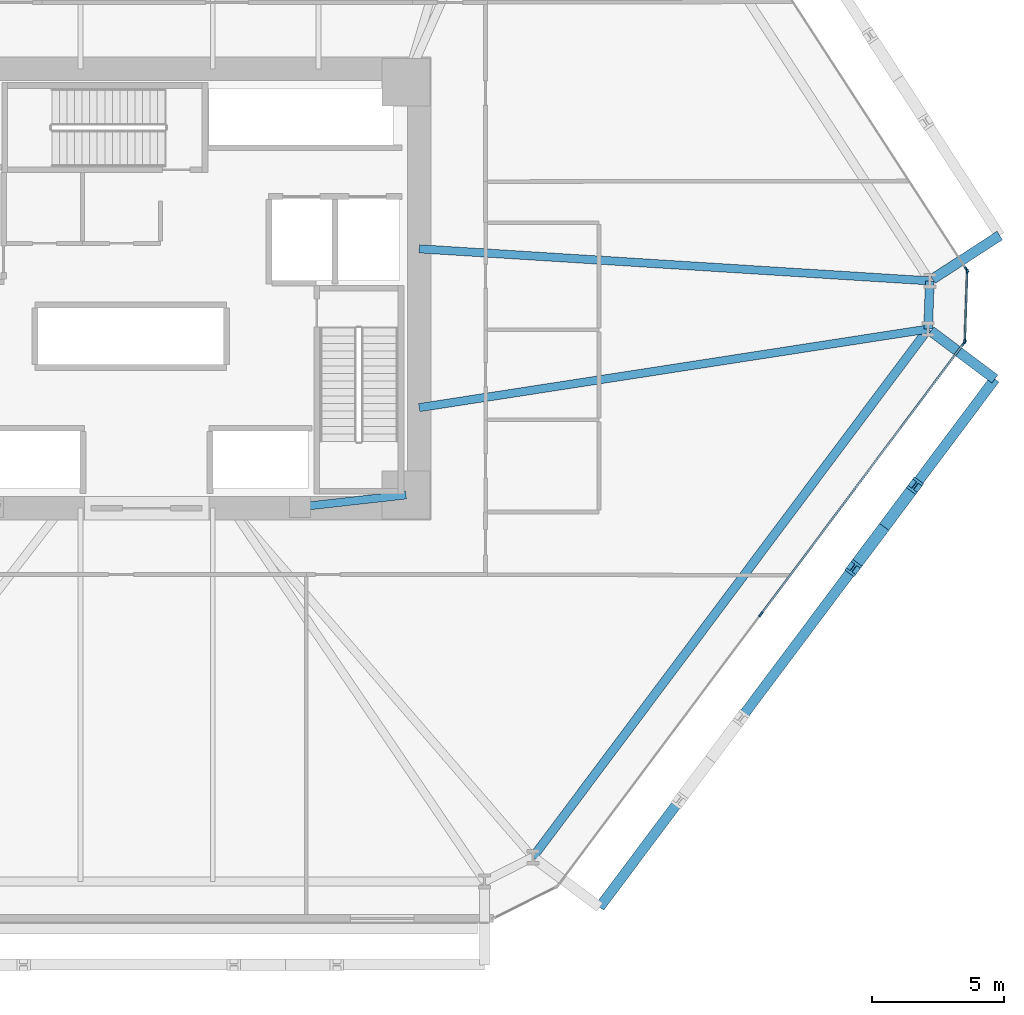
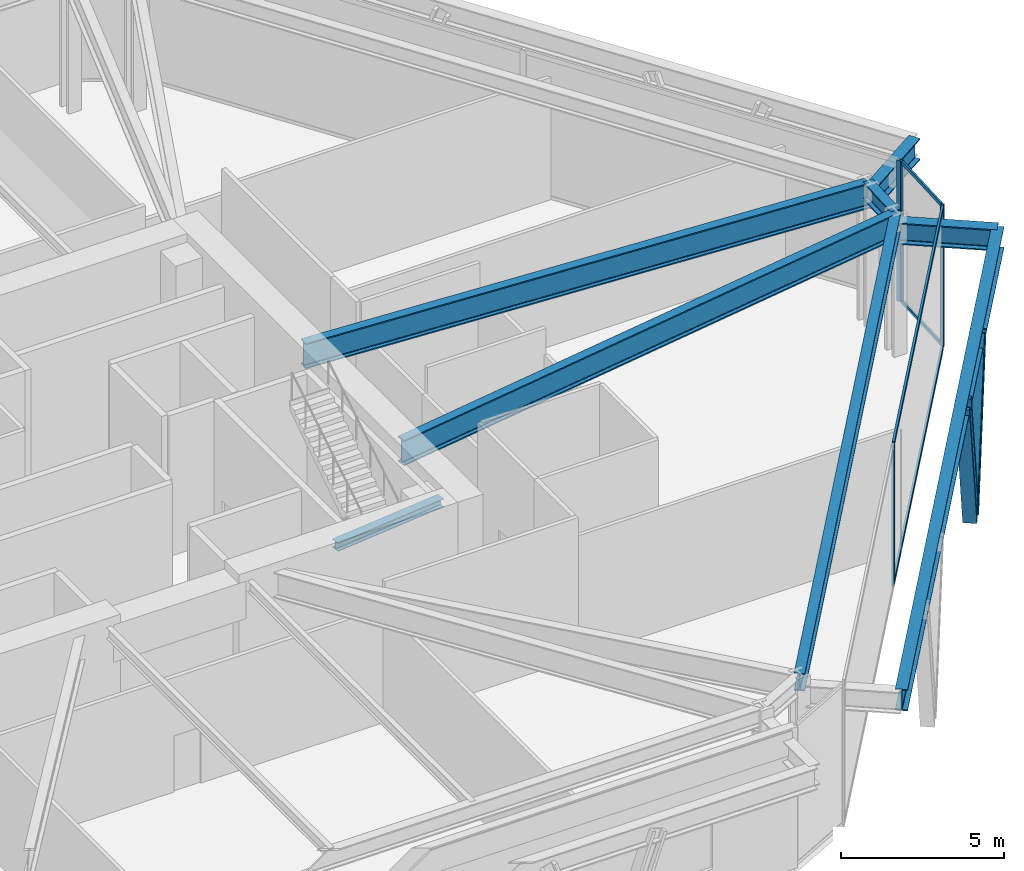
# One storey, part 6 of 19: 11 members, 8 beams, 3 elements without a shape of their own.
"""IFC4 building model written with IfcOpenShell, lengths in metres."""

from ifc_helpers import new_model, si_unit, direction, frame, origin, origin_2d, place, context, subcontext, project, spatial, rectangle, i_section, extrude, source, transform, mapped, material, layer, layer_set, material_profile, profile_set, type_object, type_shapes, element, aggregate, save


model = new_model("IFC4")

# Units and contexts
model_context = context("Model", 3, precision=1e-05, world=origin(), true_north=direction((0.0, 1.0)))
body_context = subcontext(model_context, "Body", "Model", "MODEL_VIEW")
ifc_project = project(units=[si_unit("LENGTHUNIT", "METRE"), si_unit("AREAUNIT", "SQUARE_METRE"), si_unit("VOLUMEUNIT", "CUBIC_METRE"), si_unit("PLANEANGLEUNIT", "RADIAN"), si_unit("MASSUNIT", "GRAM", prefix="KILO")], contexts=[model_context])

# Site, building, storey
site_placement = place(None, origin())
site = spatial("IfcSite", under=ifc_project, at=site_placement, CompositionType="ELEMENT")
building_placement = place(site_placement, origin())
building = spatial("IfcBuilding", under=site, at=building_placement, Name="Durnholm Broadcast Tower", CompositionType="ELEMENT")
storey_placement = place(building_placement, frame((0.0, 0.0, 15.60009765625)))
storey = spatial("IfcBuildingStorey", under=building, at=storey_placement, Name="L03", CompositionType="ELEMENT", Elevation=15.60009765625)

# Beams
ifc_material_1 = material(Name="Steel ASTM A992 Grade 50", Category="steel")
ifc_material_profile_1 = material_profile(ifc_material_1, i_section(OverallWidth=0.3330078125, OverallDepth=0.660888671875, WebThickness=0.0244140625, FlangeThickness=0.0439453125, FilletRadius=0.02783203125, at=origin_2d()), Name="W24X229")
ifc_profile_set_1 = profile_set([ifc_material_profile_1], Name="Steel ASTM A992 Grade 50")
beam_type_1 = type_object("IfcBeamType", Name="STL-SP-W24X229", PredefinedType="SPANDREL", material=ifc_profile_set_1)
shared_shape_1 = source(origin(), body_context, "Body", "SweptSolid", [
    extrude(i_section(OverallWidth=0.3330078125, OverallDepth=0.660888671875, WebThickness=0.0244140625, FlangeThickness=0.0439453125, FilletRadius=0.02783203125, at=origin_2d()), origin(), (0.0, 0.0, 1.0), 1.820068359375),
])
beam_1_placement = place(storey_placement, frame((29.590576171875, 0.28857421875, 4.934326171875), z_axis=(-0.033667655889, -0.999433083776, 0.0), x_axis=(0.999433083776, -0.033667655889, 0.0)))
element("IfcBeam", 1, at=beam_1_placement, inside=storey, type_object=beam_type_1, Name="L03 perimeter spandrel girder 08", PredefinedType="SPANDREL", context=body_context, shape_type="MappedRepresentation", body=[
    mapped(shared_shape_1, transform((0.0, 0.0, 0.0), x_axis=(1.0, 0.0, 0.0), y_axis=(0.0, 1.0, 0.0), z_axis=(0.0, 0.0, 1.0), scale=1.0)),
])
shared_shape_2 = source(origin(), body_context, "Body", "SweptSolid", [
    extrude(i_section(OverallWidth=0.3330078125, OverallDepth=0.660888671875, WebThickness=0.0244140625, FlangeThickness=0.0439453125, FilletRadius=0.02783203125, at=origin_2d()), origin(), (0.0, 0.0, 1.0), 24.926513671875),
])
type_shapes(beam_type_1, [shared_shape_1, shared_shape_2])
beam_2_placement = place(storey_placement, frame((29.529296875, -1.530517578125, 4.934326171875), z_axis=(-0.599153427318, -0.800634230178, 0.0), x_axis=(0.800634230178, -0.599153427318, 0.0)))
element("IfcBeam", 2, at=beam_2_placement, inside=storey, type_object=beam_type_1, Name="L03 perimeter spandrel girder 09", PredefinedType="SPANDREL", context=body_context, shape_type="MappedRepresentation", body=[
    mapped(shared_shape_2, transform((0.0, 0.0, 0.0), x_axis=(1.0, 0.0, 0.0), y_axis=(0.0, 1.0, 0.0), z_axis=(0.0, 0.0, 1.0), scale=1.0)),
])
ifc_material_profile_2 = material_profile(ifc_material_1, i_section(OverallWidth=0.3046875, OverallDepth=0.307861328125, WebThickness=0.010009765625, FlangeThickness=0.015380859375, FilletRadius=0.019287109375, at=origin_2d()), Name="W12X65")
ifc_profile_set_2 = profile_set([ifc_material_profile_2], Name="Steel ASTM A992 Grade 50")
beam_type_2 = type_object("IfcBeamType", Name="STL-BL-W12X65", PredefinedType="LINTEL", material=ifc_profile_set_2)
shared_shape_3 = source(origin(), body_context, "Body", "SweptSolid", [
    extrude(i_section(OverallWidth=0.3046875, OverallDepth=0.307861328125, WebThickness=0.010009765625, FlangeThickness=0.015380859375, FilletRadius=0.019287109375, at=origin_2d()), origin(), (0.0, 0.0, 1.0), 4.025146484375),
])
type_shapes(beam_type_2, [shared_shape_3])
beam_3_placement = place(storey_placement, frame((9.800048828125, -7.800048828125, 5.111083984375), z_axis=(-0.993732663715, -0.111782794142, 0.0), x_axis=(0.111782794142, -0.993732663715, 0.0)))
element("IfcBeam", 3, at=beam_3_placement, inside=storey, type_object=beam_type_2, Name="L03 east pilaster tie lintel", PredefinedType="LINTEL", context=body_context, shape_type="MappedRepresentation", body=[
    mapped(shared_shape_3, transform((0.0, 0.0, 0.0), x_axis=(1.0, 0.0, 0.0), y_axis=(0.0, 1.0, 0.0), z_axis=(0.0, 0.0, 1.0), scale=1.0)),
])
ifc_material_profile_3 = material_profile(ifc_material_1, i_section(OverallWidth=0.385009765625, OverallDepth=0.802978515625, WebThickness=0.023681640625, FlangeThickness=0.0419921875, FilletRadius=0.032958984375, at=origin_2d()), Name="W30X261")
ifc_profile_set_3 = profile_set([ifc_material_profile_3], Name="Steel ASTM A992 Grade 50")
beam_type_3 = type_object("IfcBeamType", Name="BM-EXO-TIE", PredefinedType="USERDEFINED", material=ifc_profile_set_3)
shared_shape_4 = source(origin(), body_context, "Body", "SweptSolid", [
    extrude(i_section(OverallWidth=0.385009765625, OverallDepth=0.802978515625, WebThickness=0.023681640625, FlangeThickness=0.0419921875, FilletRadius=0.032958984375, at=origin_2d()), origin(), (0.0, 0.0, 1.0), 3.024169921875),
])
beam_4_placement = place(storey_placement, frame((29.63037109375, -1.60595703125, 4.5283203125), z_axis=(0.800609912919, -0.599185920509, 0.0), x_axis=(0.599185920509, 0.800609912919, 0.0)))
element("IfcBeam", 4, at=beam_4_placement, inside=storey, type_object=beam_type_3, Name="L03 exoskeleton stand-off tie bracket F2.2", ObjectType="GIRDER", PredefinedType="USERDEFINED", context=body_context, shape_type="MappedRepresentation", body=[
    mapped(shared_shape_4, transform((0.0, 0.0, 0.0), x_axis=(1.0, 0.0, 0.0), y_axis=(0.0, 1.0, 0.0), z_axis=(0.0, 0.0, 1.0), scale=1.0)),
])
shared_shape_5 = source(origin(), body_context, "Body", "SweptSolid", [
    extrude(i_section(OverallWidth=0.385009765625, OverallDepth=0.802978515625, WebThickness=0.023681640625, FlangeThickness=0.0419921875, FilletRadius=0.032958984375, at=origin_2d()), origin(), (0.0, 0.0, 1.0), 24.9267578125),
])
beam_5_placement = place(storey_placement, frame((17.116455078125, -23.375, 4.5283203125), z_axis=(0.599159705628, 0.800629531776, 0.0), x_axis=(-0.800629531776, 0.599159705628, 0.0)))
element("IfcBeam", 5, at=beam_5_placement, inside=storey, type_object=beam_type_3, Name="L03 exoskeleton collector spandrel F2", PredefinedType="SPANDREL", context=body_context, shape_type="MappedRepresentation", body=[
    mapped(shared_shape_5, transform((0.0, 0.0, 0.0), x_axis=(1.0, 0.0, 0.0), y_axis=(0.0, 1.0, 0.0), z_axis=(0.0, 0.0, 1.0), scale=1.0)),
])
shared_shape_6 = source(origin(), body_context, "Body", "SweptSolid", [
    extrude(i_section(OverallWidth=0.385009765625, OverallDepth=0.802978515625, WebThickness=0.023681640625, FlangeThickness=0.0419921875, FilletRadius=0.032958984375, at=origin_2d()), origin(), (0.0, 0.0, 1.0), 3.02392578125),
])
type_shapes(beam_type_3, [shared_shape_4, shared_shape_5, shared_shape_6])
beam_6_placement = place(storey_placement, frame((29.6962890625, 0.357177734375, 4.5283203125), z_axis=(0.838989179675, 0.544148101521, 0.0), x_axis=(-0.544148101521, 0.838989179675, 0.0)))
element("IfcBeam", 6, at=beam_6_placement, inside=storey, type_object=beam_type_3, Name="L03 exoskeleton stand-off tie bracket F3.1", ObjectType="GIRDER", PredefinedType="USERDEFINED", context=body_context, shape_type="MappedRepresentation", body=[
    mapped(shared_shape_6, transform((0.0, 0.0, 0.0), x_axis=(1.0, 0.0, 0.0), y_axis=(0.0, 1.0, 0.0), z_axis=(0.0, 0.0, 1.0), scale=1.0)),
])
ifc_material_profile_4 = material_profile(ifc_material_1, i_section(OverallWidth=0.310302734375, OverallDepth=0.950439453125, WebThickness=0.0244140625, FlangeThickness=0.0439453125, FilletRadius=0.0380859375, at=origin_2d()), Name="W36X256")
ifc_profile_set_4 = profile_set([ifc_material_profile_4], Name="Steel ASTM A992 Grade 50")
beam_type_4 = type_object("IfcBeamType", Name="STL-GR-W36X256", PredefinedType="USERDEFINED", material=ifc_profile_set_4)
shared_shape_7 = source(origin(), body_context, "Body", "SweptSolid", [
    extrude(i_section(OverallWidth=0.310302734375, OverallDepth=0.950439453125, WebThickness=0.0244140625, FlangeThickness=0.0439453125, FilletRadius=0.0380859375, at=origin_2d()), origin(), (0.0, 0.0, 1.0), 19.32861328125),
])
beam_7_placement = place(storey_placement, frame((10.300048828125, 1.5, 4.78955078125), z_axis=(0.998033956176, -0.062675532065, 0.0), x_axis=(0.062675532065, 0.998033956176, 0.0)))
element("IfcBeam", 7, at=beam_7_placement, inside=storey, type_object=beam_type_4, Name="L03 radial primary floor girder 08", ObjectType="GIRDER", PredefinedType="USERDEFINED", context=body_context, shape_type="MappedRepresentation", body=[
    mapped(shared_shape_7, transform((0.0, 0.0, 0.0), x_axis=(1.0, 0.0, 0.0), y_axis=(0.0, 1.0, 0.0), z_axis=(0.0, 0.0, 1.0), scale=1.0)),
])
shared_shape_8 = source(origin(), body_context, "Body", "SweptSolid", [
    extrude(i_section(OverallWidth=0.310302734375, OverallDepth=0.950439453125, WebThickness=0.0244140625, FlangeThickness=0.0439453125, FilletRadius=0.0380859375, at=origin_2d()), origin(), (0.0, 0.0, 1.0), 19.457275390625),
])
type_shapes(beam_type_4, [shared_shape_7, shared_shape_8])
beam_8_placement = place(storey_placement, frame((10.300048828125, -4.5, 4.78955078125), z_axis=(0.988285519632, 0.152616289061, 0.0), x_axis=(-0.152616289061, 0.988285519632, 0.0)))
element("IfcBeam", 8, at=beam_8_placement, inside=storey, type_object=beam_type_4, Name="L03 radial primary floor girder 09", ObjectType="GIRDER", PredefinedType="USERDEFINED", context=body_context, shape_type="MappedRepresentation", body=[
    mapped(shared_shape_8, transform((0.0, 0.0, 0.0), x_axis=(1.0, 0.0, 0.0), y_axis=(0.0, 1.0, 0.0), z_axis=(0.0, 0.0, 1.0), scale=1.0)),
])

# Members
ifc_material_2 = material(Name="Steel ASTM A913 Grade 65", Category="steel")
ifc_material_profile_5 = material_profile(ifc_material_2, i_section(OverallWidth=0.44189453125, OverallDepth=0.531494140625, WebThickness=0.06591796875, FlangeThickness=0.105712890625, FilletRadius=0.030517578125, at=origin_2d()), Name="W14X605")
ifc_profile_set_5 = profile_set([ifc_material_profile_5], Name="Steel ASTM A913 Grade 65")
member_type_1 = type_object("IfcMemberType", Name="STL-DG-W14X605", PredefinedType="BRACE", material=ifc_profile_set_5)
shared_shape_9 = source(origin(), body_context, "Body", "SweptSolid", [
    extrude(i_section(OverallWidth=0.44189453125, OverallDepth=0.531494140625, WebThickness=0.06591796875, FlangeThickness=0.105712890625, FilletRadius=0.030517578125, at=origin_2d()), origin(), (0.0, 0.0, 1.0), 5.927734375),
])
type_shapes(member_type_1, [shared_shape_9])
for number, where, z_axis, x_axis, name in (
    (9, (27.86962890625, -9.005859375, -1.071533203125), (-0.196498611966, -0.262602211254, 0.944684272199), (0.800662544514, -0.599115589692, 0.0), "L03 stand-off diagrid brace F2.D2.1"),
    (10, (27.86962890625, -9.005859375, -1.071533203125), (0.196498611966, 0.262602211254, 0.944684272199), (-0.800662544514, 0.599115589692, 0.0), "L03 stand-off diagrid brace F2.D2.2"),
):
    element("IfcMember", number, at=place(storey_placement, frame(where, z_axis=z_axis, x_axis=x_axis)), inside=storey, type_object=member_type_1, Name=name, PredefinedType="BRACE", context=body_context, shape_type="MappedRepresentation", body=[
        mapped(shared_shape_9, transform((0.0, 0.0, 0.0), x_axis=(1.0, 0.0, 0.0), y_axis=(0.0, 1.0, 0.0), z_axis=(0.0, 0.0, 1.0), scale=1.0)),
    ])

# Curtain wall, members
ifc_material_3 = material(Name="Aluminium and Solar Control IGU", Category="aluminium")
ifc_layer_1 = layer(ifc_material_3, 0.1650390625)
ifc_layer_set_1 = layer_set([ifc_layer_1], Name="Aluminium and Solar Control IGU")
curtain_wall_type_1 = type_object("IfcCurtainWallType", Name="CW-SYS-5", PredefinedType="NOTDEFINED", material=ifc_layer_set_1)
curtain_wall_1_placement = place(storey_placement, origin())
curtain_wall_1 = element("IfcCurtainWall", 11, at=curtain_wall_1_placement, inside=storey, type_object=curtain_wall_type_1, Name="L03 curtain wall CW-CORNER CW-L03-CRN-07", PredefinedType="NOTDEFINED")
ifc_material_4 = material(Name="Aluminium 6063-T6", Category="aluminium")
ifc_material_profile_6 = material_profile(ifc_material_4, rectangle(XDim=0.06494140625, YDim=0.1650390625, at=origin_2d()), Name="CWM65X165")
ifc_profile_set_6 = profile_set([ifc_material_profile_6], Name="Aluminium 6063-T6")
member_type_2 = type_object("IfcMemberType", Name="CW-SYS-5-MUL", PredefinedType="MULLION", material=ifc_profile_set_6)
shared_shape_10 = source(origin(), body_context, "Body", "SweptSolid", [
    extrude(rectangle(XDim=0.06494140625, YDim=0.1650390625, at=origin_2d()), origin(), (0.0, 0.0, 1.0), 5.27978515625),
])
type_shapes(member_type_2, [shared_shape_10])
member_1_placement = place(storey_placement, frame((31.00341796875, 0.64892578125, 0.0), z_axis=(0.0, 0.0, 1.0), x_axis=(0.999436820621, -0.033556543118, 0.0)))
member_1 = element("IfcMember", 12, at=member_1_placement, type_object=member_type_2, Name="CW-CORNER mullion 1", PredefinedType="MULLION", context=body_context, shape_type="MappedRepresentation", body=[
    mapped(shared_shape_10, transform((0.0, 0.0, 0.0), x_axis=(1.0, 0.0, 0.0), y_axis=(0.0, 1.0, 0.0), z_axis=(0.0, 0.0, 1.0), scale=1.0)),
])
member_2_placement = place(storey_placement, frame((30.9150390625, -1.984619140625, 0.0), z_axis=(0.0, 0.0, 1.0), x_axis=(0.999436820621, -0.033556543118, 0.0)))
member_2 = element("IfcMember", 13, at=member_2_placement, type_object=member_type_2, Name="CW-CORNER mullion 2", PredefinedType="MULLION", context=body_context, shape_type="MappedRepresentation", body=[
    mapped(shared_shape_10, transform((0.0, 0.0, 0.0), x_axis=(1.0, 0.0, 0.0), y_axis=(0.0, 1.0, 0.0), z_axis=(0.0, 0.0, 1.0), scale=1.0)),
])
ifc_material_profile_7 = material_profile(ifc_material_4, rectangle(XDim=0.06494140625, YDim=0.1298828125, at=origin_2d()), Name="CWT65X130")
ifc_profile_set_7 = profile_set([ifc_material_profile_7], Name="Aluminium 6063-T6")
member_type_3 = type_object("IfcMemberType", Name="CW-SYS-5-TRN", PredefinedType="USERDEFINED", material=ifc_profile_set_7)
shared_shape_11 = source(origin(), body_context, "Body", "SweptSolid", [
    extrude(rectangle(XDim=0.06494140625, YDim=0.1298828125, at=origin_2d()), origin(), (0.0, 0.0, 1.0), 2.570068359375),
])
type_shapes(member_type_3, [shared_shape_11])
member_3_placement = place(storey_placement, frame((31.002197265625, 0.616455078125, 0.032470703125), z_axis=(-0.033533074398, -0.999437608319, 0.0), x_axis=(0.999437608319, -0.033533074398, 0.0)))
member_3 = element("IfcMember", 14, at=member_3_placement, type_object=member_type_3, Name="CW-CORNER transom 1.1", ObjectType="TRANSOM", PredefinedType="USERDEFINED", context=body_context, shape_type="MappedRepresentation", body=[
    mapped(shared_shape_11, transform((0.0, 0.0, 0.0), x_axis=(1.0, 0.0, 0.0), y_axis=(0.0, 1.0, 0.0), z_axis=(0.0, 0.0, 1.0), scale=1.0)),
])
member_4_placement = place(storey_placement, frame((31.002197265625, 0.616455078125, 5.247314453125), z_axis=(-0.033533074398, -0.999437608319, 0.0), x_axis=(0.999437608319, -0.033533074398, 0.0)))
member_4 = element("IfcMember", 15, at=member_4_placement, type_object=member_type_3, Name="CW-CORNER transom 1.2", ObjectType="TRANSOM", PredefinedType="USERDEFINED", context=body_context, shape_type="MappedRepresentation", body=[
    mapped(shared_shape_11, transform((0.0, 0.0, 0.0), x_axis=(1.0, 0.0, 0.0), y_axis=(0.0, 1.0, 0.0), z_axis=(0.0, 0.0, 1.0), scale=1.0)),
])
aggregate(curtain_wall_1, [member_1, member_2, member_3, member_4])

# Curtain wall, member
ifc_layer_2 = layer(ifc_material_3, 0.219970703125)
ifc_layer_set_2 = layer_set([ifc_layer_2], Name="Aluminium and Solar Control IGU")
curtain_wall_type_2 = type_object("IfcCurtainWallType", Name="CW-SYS-2", PredefinedType="NOTDEFINED", material=ifc_layer_set_2)
curtain_wall_2_placement = place(storey_placement, origin())
curtain_wall_2 = element("IfcCurtainWall", 16, at=curtain_wall_2_placement, inside=storey, type_object=curtain_wall_type_2, Name="L03 curtain wall CW-STUDIO CW-L03-F06", PredefinedType="NOTDEFINED")
ifc_material_profile_8 = material_profile(ifc_material_4, rectangle(XDim=0.074951171875, YDim=0.219970703125, at=origin_2d()), Name="CWM75X220")
ifc_profile_set_8 = profile_set([ifc_material_profile_8], Name="Aluminium 6063-T6")
member_type_4 = type_object("IfcMemberType", Name="CW-SYS-2-MUL", PredefinedType="MULLION", material=ifc_profile_set_8)
shared_shape_12 = source(origin(), body_context, "Body", "SweptSolid", [
    extrude(rectangle(XDim=0.074951171875, YDim=0.219970703125, at=origin_2d()), origin(), (0.0, 0.0, 1.0), 5.27978515625),
])
type_shapes(member_type_4, [shared_shape_12])
member_5_placement = place(storey_placement, frame((30.984130859375, 0.712646484375, 0.0), z_axis=(0.0, 0.0, 1.0), x_axis=(0.839009373297, 0.544116964926, 0.0)))
member_5 = element("IfcMember", 17, at=member_5_placement, type_object=member_type_4, Name="CW-STUDIO mullion 3", PredefinedType="MULLION", context=body_context, shape_type="MappedRepresentation", body=[
    mapped(shared_shape_12, transform((0.0, 0.0, 0.0), x_axis=(1.0, 0.0, 0.0), y_axis=(0.0, 1.0, 0.0), z_axis=(0.0, 0.0, 1.0), scale=1.0)),
])
aggregate(curtain_wall_2, [member_5])

# Curtain wall, members
curtain_wall_3_placement = place(storey_placement, origin())
curtain_wall_3 = element("IfcCurtainWall", 18, at=curtain_wall_3_placement, inside=storey, type_object=curtain_wall_type_2, Name="L03 curtain wall CW-STUDIO CW-L03-F08", PredefinedType="NOTDEFINED")
member_6_placement = place(storey_placement, frame((30.891357421875, -2.047119140625, 0.0), z_axis=(0.0, 0.0, 1.0), x_axis=(0.800631836327, -0.59915662615, 0.0)))
member_6 = element("IfcMember", 19, at=member_6_placement, type_object=member_type_4, Name="CW-STUDIO mullion 1", PredefinedType="MULLION", context=body_context, shape_type="MappedRepresentation", body=[
    mapped(shared_shape_12, transform((0.0, 0.0, 0.0), x_axis=(1.0, 0.0, 0.0), y_axis=(0.0, 1.0, 0.0), z_axis=(0.0, 0.0, 1.0), scale=1.0)),
])
member_7_placement = place(storey_placement, frame((23.215576171875, -12.30419921875, 0.0), z_axis=(0.0, 0.0, 1.0), x_axis=(0.800631836327, -0.59915662615, 0.0)))
member_7 = element("IfcMember", 20, at=member_7_placement, type_object=member_type_4, Name="CW-STUDIO mullion 2", PredefinedType="MULLION", context=body_context, shape_type="MappedRepresentation", body=[
    mapped(shared_shape_12, transform((0.0, 0.0, 0.0), x_axis=(1.0, 0.0, 0.0), y_axis=(0.0, 1.0, 0.0), z_axis=(0.0, 0.0, 1.0), scale=1.0)),
])
ifc_material_profile_9 = material_profile(ifc_material_4, rectangle(XDim=0.074951171875, YDim=0.179931640625, at=origin_2d()), Name="CWT75X180")
ifc_profile_set_9 = profile_set([ifc_material_profile_9], Name="Aluminium 6063-T6")
member_type_5 = type_object("IfcMemberType", Name="CW-SYS-2-TRN", PredefinedType="USERDEFINED", material=ifc_profile_set_9)
shared_shape_13 = source(origin(), body_context, "Body", "SweptSolid", [
    extrude(rectangle(XDim=0.074951171875, YDim=0.179931640625, at=origin_2d()), origin(), (0.0, 0.0, 1.0), 12.736083984375),
])
type_shapes(member_type_5, [shared_shape_13])
member_8_placement = place(storey_placement, frame((30.868896484375, -2.0771484375, 0.037353515625), z_axis=(-0.599150086167, -0.800636730513, 0.0), x_axis=(0.800636730513, -0.599150086167, 0.0)))
member_8 = element("IfcMember", 21, at=member_8_placement, type_object=member_type_5, Name="CW-STUDIO transom 1.1", ObjectType="TRANSOM", PredefinedType="USERDEFINED", context=body_context, shape_type="MappedRepresentation", body=[
    mapped(shared_shape_13, transform((0.0, 0.0, 0.0), x_axis=(1.0, 0.0, 0.0), y_axis=(0.0, 1.0, 0.0), z_axis=(0.0, 0.0, 1.0), scale=1.0)),
])
member_9_placement = place(storey_placement, frame((30.868896484375, -2.0771484375, 5.242431640625), z_axis=(-0.599150086167, -0.800636730513, 0.0), x_axis=(0.800636730513, -0.599150086167, 0.0)))
member_9 = element("IfcMember", 22, at=member_9_placement, type_object=member_type_5, Name="CW-STUDIO transom 1.2", ObjectType="TRANSOM", PredefinedType="USERDEFINED", context=body_context, shape_type="MappedRepresentation", body=[
    mapped(shared_shape_13, transform((0.0, 0.0, 0.0), x_axis=(1.0, 0.0, 0.0), y_axis=(0.0, 1.0, 0.0), z_axis=(0.0, 0.0, 1.0), scale=1.0)),
])
aggregate(curtain_wall_3, [member_6, member_7, member_8, member_9])

save(model, "model.ifc")
